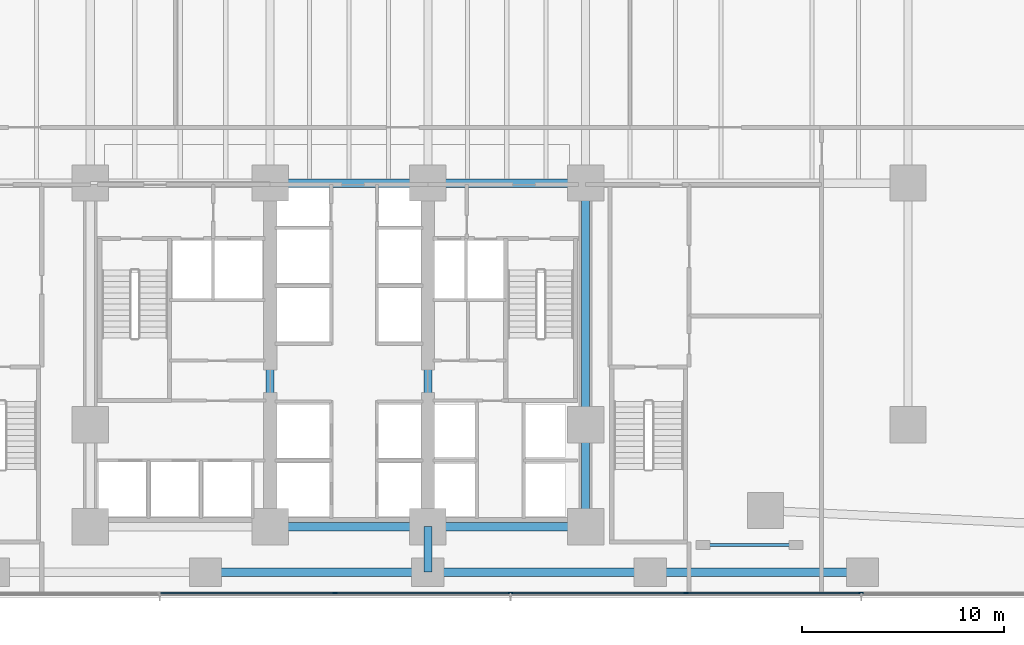
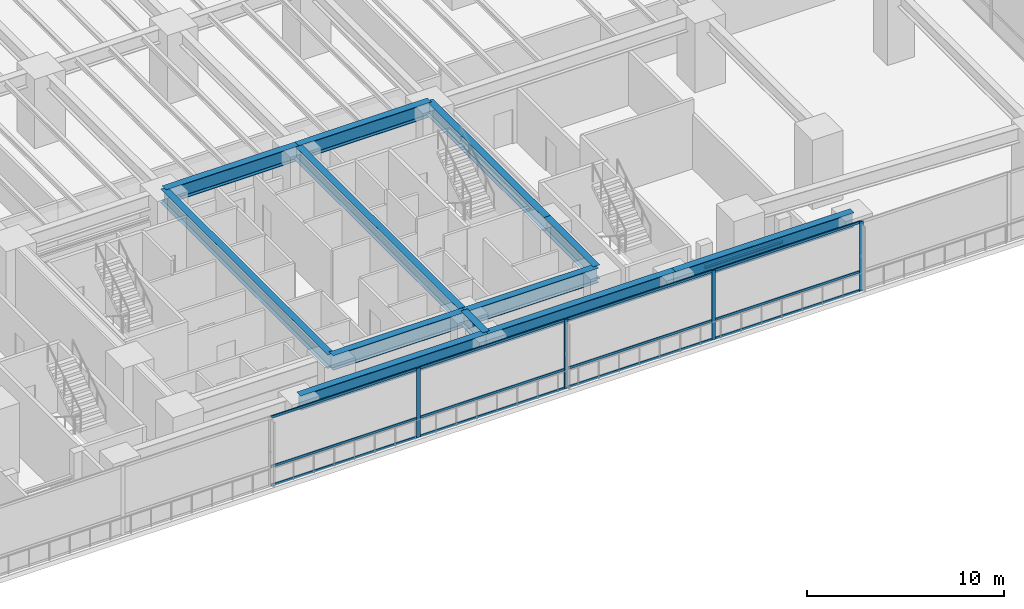
# One storey, part 3 of 27: 16 members, 13 beams, 1 element without a shape of its own.
"""IFC4 building model written with IfcOpenShell, lengths in metres."""

import ifcopenshell
import ifcopenshell.guid

model = None  # the IFC model being written
_history = None  # IfcOwnerHistory: only IFC2X3 demands one
_inside = {}  # id of a spatial element -> (the spatial element, [elements in it])
_under = {}  # id of a project, library or spatial element -> (it, [spatial elements below it])
_declared = {}  # id of a project -> (the project, [libraries it declares])
_typed = {}  # id of a type object -> (the type object, [elements of that type])
_made_of = {}  # id of a material, layer set ... -> (it, [elements and type objects made of it])


def new_model(schema):
    """Start an empty IFC model of exactly this schema.

    Asked for "IFC4X3", IfcOpenShell would pick the latest addendum, in which some entities
    have other attributes; the version numbers below select the first issue.
    IFC2X3 requires an IfcOwnerHistory on every rooted entity: one is made here for all.
    """
    global model, _history
    if schema == "IFC4X3":
        model = ifcopenshell.file(schema_version=(4, 3, 0, 0))
    else:
        model = ifcopenshell.file(schema=schema)
    _inside.clear()
    _under.clear()
    _declared.clear()
    _typed.clear()
    _made_of.clear()
    _history = None
    if model.schema == "IFC2X3":
        org = make("IfcOrganization", Name="unknown")
        user = make(
            "IfcPersonAndOrganization",
            ThePerson=make("IfcPerson", FamilyName="unknown"),
            TheOrganization=org,
        )
        app = make(
            "IfcApplication",
            ApplicationDeveloper=org,
            Version="unknown",
            ApplicationFullName="unknown",
            ApplicationIdentifier="unknown",
        )
        _history = make(
            "IfcOwnerHistory",
            OwningUser=user,
            OwningApplication=app,
            ChangeAction="ADDED",
            CreationDate=0,
        )
    return model


def make(cls, **values):
    """One entity of the class cls with the attributes given. An attribute that is None is left unset."""
    return model.create_entity(
        cls, **{name: value for name, value in values.items() if value is not None}
    )


def rooted(cls, **values):
    """An entity with a GlobalId (a new one), such as an element, a storey or a relation."""
    return make(cls, GlobalId=ifcopenshell.guid.new(), OwnerHistory=_history, **values)


def si_unit(unit_type, name, prefix=None):
    """IfcSIUnit, for example si_unit("LENGTHUNIT", "METRE", prefix="MILLI")."""
    return make("IfcSIUnit", UnitType=unit_type, Prefix=prefix, Name=name)


def assignment(units):
    """IfcUnitAssignment: the units of a project."""
    return None if units is None else make("IfcUnitAssignment", Units=units)


def point(xyz):
    """IfcCartesianPoint."""
    return None if xyz is None else make("IfcCartesianPoint", Coordinates=xyz)


def direction(xyz):
    """IfcDirection."""
    return None if xyz is None else make("IfcDirection", DirectionRatios=xyz)


def frame(location, z_axis=None, x_axis=None):
    """IfcAxis2Placement3D, a coordinate frame: its origin and axes. An axis left out is left unset."""
    return make(
        "IfcAxis2Placement3D",
        Location=point(location),
        Axis=direction(z_axis),
        RefDirection=direction(x_axis),
    )


def frame_2d(location, x_axis=None):
    """IfcAxis2Placement2D, a coordinate frame in the plane: its origin and x axis."""
    return make(
        "IfcAxis2Placement2D", Location=point(location), RefDirection=direction(x_axis)
    )


def origin():
    """The frame at (0, 0, 0) with its axes left unset."""
    return frame((0.0, 0.0, 0.0))


def origin_2d():
    """The frame at (0, 0) in the plane with its x axis left unset."""
    return frame_2d((0.0, 0.0))


def place(relative_to, where):
    """IfcLocalPlacement: puts the frame where relative to a parent placement (None: the world)."""
    return make(
        "IfcLocalPlacement", PlacementRelTo=relative_to, RelativePlacement=where
    )


def context(
    kind, dimensions, precision=None, world=None, true_north=None, identifier=None
):
    """IfcGeometricRepresentationContext, for example the 3D "Model" context."""
    return make(
        "IfcGeometricRepresentationContext",
        ContextIdentifier=identifier,
        ContextType=kind,
        CoordinateSpaceDimension=dimensions,
        Precision=precision,
        WorldCoordinateSystem=world,
        TrueNorth=true_north,
    )


def subcontext(parent, identifier, kind, view, scale=None):
    """IfcGeometricRepresentationSubContext, for example "Body" below "Model"."""
    return make(
        "IfcGeometricRepresentationSubContext",
        ContextIdentifier=identifier,
        ContextType=kind,
        ParentContext=parent,
        TargetScale=scale,
        TargetView=view,
    )


def project(units=None, contexts=None):
    """IfcProject with its units and contexts."""
    return rooted(
        "IfcProject",
        Name="project",
        RepresentationContexts=contexts,
        UnitsInContext=assignment(units),
    )


def spatial(cls, under=None, at=None, **own):
    """A site, building, storey or space (cls), placed at a placement, below another one or the project."""
    s = rooted(cls, ObjectPlacement=at, **own)
    if under is not None:
        _under.setdefault(under.id(), (under, []))[1].append(s)
    return s


def profile(cls, at=None, kind="AREA", **sizes):
    """A parametric profile (cls). Its sizes go by their IFC names, for example OverallWidth=200.0."""
    return make(cls, ProfileType=kind, Position=at, **sizes)


def rectangle(**sizes):
    """IfcRectangleProfileDef."""
    return profile("IfcRectangleProfileDef", **sizes)


def i_section(**sizes):
    """IfcIShapeProfileDef."""
    return profile("IfcIShapeProfileDef", **sizes)


def extrude(swept, where, along, depth):
    """IfcExtrudedAreaSolid: the profile swept, set in the frame where, extruded along a direction by depth."""
    return make(
        "IfcExtrudedAreaSolid",
        SweptArea=swept,
        Position=where,
        ExtrudedDirection=direction(along),
        Depth=depth,
    )


def shape(context_of_items, identifier, shape_type, items):
    """IfcShapeRepresentation: the items that make up one representation, for example the "Body"."""
    return make(
        "IfcShapeRepresentation",
        ContextOfItems=context_of_items,
        RepresentationIdentifier=identifier,
        RepresentationType=shape_type,
        Items=items,
    )


def material(Name=None, Category=None):
    """IfcMaterial."""
    return make("IfcMaterial", Name=Name, Category=Category)


def layer(
    of_material, thickness, ventilated=None, Name=None, Category=None, Priority=None
):
    """IfcMaterialLayer: one layer of a wall or slab, of a material (None: an air gap)."""
    return make(
        "IfcMaterialLayer",
        Material=of_material,
        LayerThickness=thickness,
        IsVentilated=ventilated,
        Name=Name,
        Category=Category,
        Priority=Priority,
    )


def layer_set(layers, Name=None):
    """IfcMaterialLayerSet."""
    return make("IfcMaterialLayerSet", MaterialLayers=layers, LayerSetName=Name)


def material_profile(
    of_material, cross_section, Name=None, Category=None, Priority=None
):
    """IfcMaterialProfile: a cross section and its material."""
    return make(
        "IfcMaterialProfile",
        Name=Name,
        Material=of_material,
        Profile=cross_section,
        Priority=Priority,
        Category=Category,
    )


def profile_set(profiles, Name=None, composite=None):
    """IfcMaterialProfileSet."""
    return make(
        "IfcMaterialProfileSet",
        Name=Name,
        MaterialProfiles=profiles,
        CompositeProfile=composite,
    )


def made_of(thing, what):
    """Note that an element or type object is made of a material, layer set ...; save() writes the relation."""
    if what is not None:
        _made_of.setdefault(what.id(), (what, []))[1].append(thing)
    return thing


def type_object(cls, material=None, **own):
    """A type object (cls), such as IfcWallType, which elements share."""
    return made_of(rooted(cls, **own), material)


def element(
    cls,
    number,
    at=None,
    inside=None,
    cuts=None,
    type_object=None,
    material=None,
    context=None,
    identifier="Body",
    shape_type=None,
    held_by="IfcProductDefinitionShape",
    body=None,
    shapes=None,
    **own,
):
    """One element of the class cls, such as IfcWall. Its Tag is "e" and its number.

    at: its placement. inside: the storey or other place that contains it. cuts: it is an
    opening in that element (IfcRelVoidsElement). A single representation is given by context,
    identifier, shape_type and body (its items); several are given by shapes. held_by: the class
    of the entity that holds the representations. save() writes the other relations.
    """
    e = rooted(cls, Tag="e%d" % number, ObjectPlacement=at, **own)
    if body is not None:
        shapes = [shape(context, identifier, shape_type, body)]
    if shapes is not None:
        e.Representation = make(held_by, Representations=shapes)
    if inside is not None:
        _inside.setdefault(inside.id(), (inside, []))[1].append(e)
    if cuts is not None:
        rooted(
            "IfcRelVoidsElement", RelatingBuildingElement=cuts, RelatedOpeningElement=e
        )
    if type_object is not None:
        _typed.setdefault(type_object.id(), (type_object, []))[1].append(e)
    return made_of(e, material)


def aggregate(whole, parts):
    """IfcRelAggregates: a whole, such as a stair, and the parts it consists of."""
    return rooted("IfcRelAggregates", RelatingObject=whole, RelatedObjects=parts)


def save(model, path):
    """Write the relations noted so far, then the file.

    IfcRelAggregates (storeys below a building ...), IfcRelContainedInSpatialStructure (elements
    in a storey), IfcRelDefinesByType, IfcRelAssociatesMaterial and IfcRelDeclares: one each for
    every whole, place, type object, material and project.
    """
    for whole, parts in _under.values():
        aggregate(whole, parts)
    for where, things in _inside.values():
        rooted(
            "IfcRelContainedInSpatialStructure",
            RelatedElements=things,
            RelatingStructure=where,
        )
    for kind, things in _typed.values():
        rooted("IfcRelDefinesByType", RelatedObjects=things, RelatingType=kind)
    for what, things in _made_of.values():
        rooted("IfcRelAssociatesMaterial", RelatedObjects=things, RelatingMaterial=what)
    for by, libraries in _declared.values():
        rooted("IfcRelDeclares", RelatingContext=by, RelatedDefinitions=libraries)
    model.write(path)


model = new_model("IFC4")

# Units and contexts
model_context = context("Model", 3, precision=1e-05, world=origin(), true_north=direction((0.0, 1.0)))
body_context = subcontext(model_context, "Body", "Model", "MODEL_VIEW")
ifc_project = project(units=[si_unit("LENGTHUNIT", "METRE"), si_unit("AREAUNIT", "SQUARE_METRE"), si_unit("VOLUMEUNIT", "CUBIC_METRE"), si_unit("PLANEANGLEUNIT", "RADIAN"), si_unit("MASSUNIT", "GRAM", prefix="KILO")], contexts=[model_context])

# Site, building, storey
site_placement = place(None, origin())
site = spatial("IfcSite", under=ifc_project, at=site_placement, CompositionType="ELEMENT")
building_placement = place(site_placement, origin())
building = spatial("IfcBuilding", under=site, at=building_placement, Name="Qalmaran Belvedere Hotel", CompositionType="ELEMENT")
storey_placement = place(building_placement, frame((0.0, 0.0, 5.39990234375)))
storey = spatial("IfcBuildingStorey", under=building, at=storey_placement, Name="L01", CompositionType="ELEMENT", Elevation=5.39990234375)

# Beams
ifc_material_1 = material(Name="Steel S355JR", Category="steel")
ifc_material_profile_1 = material_profile(ifc_material_1, i_section(OverallWidth=0.1650390625, OverallDepth=0.200927734375, WebThickness=0.006103515625, FlangeThickness=0.01025390625, FilletRadius=0.010009765625, at=origin_2d()), Name="W200X36")
ifc_profile_set_1 = profile_set([ifc_material_profile_1], Name="Steel S355JR")
beam_type_1 = type_object("IfcBeamType", Name="BM-LIN-W200X36", PredefinedType="LINTEL", material=ifc_profile_set_1)
beam_1_placement = place(storey_placement, frame((50.60009765625, 2.60009765625, 2.75), z_axis=(1.0, 0.0, 0.0), x_axis=(0.0, 1.0, 0.0)))
element("IfcBeam", 1, at=beam_1_placement, inside=storey, type_object=beam_type_1, Name="L01 Colonnade Opening Lintel 05", PredefinedType="LINTEL", context=body_context, shape_type="SweptSolid", body=[
    extrude(i_section(OverallWidth=0.1650390625, OverallDepth=0.200927734375, WebThickness=0.006103515625, FlangeThickness=0.01025390625, FilletRadius=0.010009765625, at=origin_2d()), origin(), (0.0, 0.0, 1.0), 4.599853515625),
])
ifc_material_profile_2 = material_profile(ifc_material_1, i_section(OverallWidth=0.41796875, OverallDepth=0.912109375, WebThickness=0.019287109375, FlangeThickness=0.031982421875, FilletRadius=0.02392578125, at=origin_2d()), Name="W920X342")
ifc_profile_set_2 = profile_set([ifc_material_profile_2], Name="Steel S355JR")
beam_type_2 = type_object("IfcBeamType", Name="BM-PG2-W920X342", PredefinedType="USERDEFINED", material=ifc_profile_set_2)
for number, where, z_axis, x_axis, name in (
    (2, (26.0, 1.25, 3.843994140625), (1.0, 0.0, 0.0), (0.0, 1.0, 0.0), "L01 Podium Primary Girder GX02"),
    (3, (37.0, 1.25, 3.843994140625), (1.0, 0.0, 0.0), (0.0, 1.0, 0.0), "L01 Podium Primary Girder GX03"),
):
    element("IfcBeam", number, at=place(storey_placement, frame(where, z_axis=z_axis, x_axis=x_axis)), inside=storey, type_object=beam_type_2, Name=name, ObjectType="GIRDER", PredefinedType="USERDEFINED", context=body_context, shape_type="SweptSolid", body=[
        extrude(i_section(OverallWidth=0.41796875, OverallDepth=0.912109375, WebThickness=0.019287109375, FlangeThickness=0.031982421875, FilletRadius=0.02392578125, at=origin_2d()), origin(), (0.0, 0.0, 1.0), 11.0),
    ])
beam_2_placement = place(storey_placement, frame((48.0, 1.25, 3.843994140625), z_axis=(1.0, 0.0, 0.0), x_axis=(0.0, 1.0, 0.0)))
element("IfcBeam", 4, at=beam_2_placement, inside=storey, type_object=beam_type_2, Name="L01 Podium Primary Girder GX04", ObjectType="GIRDER", PredefinedType="USERDEFINED", context=body_context, shape_type="SweptSolid", body=[
    extrude(i_section(OverallWidth=0.41796875, OverallDepth=0.912109375, WebThickness=0.019287109375, FlangeThickness=0.031982421875, FilletRadius=0.02392578125, at=origin_2d()), origin(), (0.0, 0.0, 1.0), 10.5),
])
for number, where, z_axis, x_axis, name in (
    (5, (29.199951171875, 3.5, 3.843994140625), (1.0, 0.0, 0.0), (0.0, 1.0, 0.0), "L01 Podium Primary Girder GX07"),
    (6, (37.0, 3.5, 3.843994140625), (1.0, 0.0, 0.0), (0.0, 1.0, 0.0), "L01 Podium Primary Girder GX08"),
    (7, (29.199951171875, 20.5, 3.843994140625), (1.0, 0.0, 0.0), (0.0, 1.0, 0.0), "L01 Podium Primary Girder GX15"),
    (8, (37.0, 20.5, 3.843994140625), (1.0, 0.0, 0.0), (0.0, 1.0, 0.0), "L01 Podium Primary Girder GX16"),
):
    element("IfcBeam", number, at=place(storey_placement, frame(where, z_axis=z_axis, x_axis=x_axis)), inside=storey, type_object=beam_type_2, Name=name, ObjectType="GIRDER", PredefinedType="USERDEFINED", context=body_context, shape_type="SweptSolid", body=[
        extrude(i_section(OverallWidth=0.41796875, OverallDepth=0.912109375, WebThickness=0.019287109375, FlangeThickness=0.031982421875, FilletRadius=0.02392578125, at=origin_2d()), origin(), (0.0, 0.0, 1.0), 7.800048828125),
    ])
ifc_material_profile_3 = material_profile(ifc_material_1, i_section(OverallWidth=0.39990234375, OverallDepth=0.85498046875, WebThickness=0.018310546875, FlangeThickness=0.029296875, FilletRadius=0.02392578125, at=origin_2d()), Name="W840X299")
ifc_profile_set_3 = profile_set([ifc_material_profile_3], Name="Steel S355JR")
beam_type_3 = type_object("IfcBeamType", Name="BM-PG3-W840X299", PredefinedType="USERDEFINED", material=ifc_profile_set_3)
beam_3_placement = place(storey_placement, frame((29.199951171875, 3.5, 3.87255859375), z_axis=(0.0, 1.0, 0.0), x_axis=(-1.0, 0.0, 0.0)))
element("IfcBeam", 9, at=beam_3_placement, inside=storey, type_object=beam_type_3, Name="L01 Podium Transverse Girder GY41", ObjectType="GIRDER", PredefinedType="USERDEFINED", context=body_context, shape_type="SweptSolid", body=[
    extrude(i_section(OverallWidth=0.39990234375, OverallDepth=0.85498046875, WebThickness=0.018310546875, FlangeThickness=0.029296875, FilletRadius=0.02392578125, at=origin_2d()), origin(), (0.0, 0.0, 1.0), 17.0),
])
beam_4_placement = place(storey_placement, frame((37.0, 1.25, 3.87255859375), z_axis=(0.0, 1.0, 0.0), x_axis=(-1.0, 0.0, 0.0)))
element("IfcBeam", 10, at=beam_4_placement, inside=storey, type_object=beam_type_3, Name="L01 Podium Transverse Girder GY44", ObjectType="GIRDER", PredefinedType="USERDEFINED", context=body_context, shape_type="SweptSolid", body=[
    extrude(i_section(OverallWidth=0.39990234375, OverallDepth=0.85498046875, WebThickness=0.018310546875, FlangeThickness=0.029296875, FilletRadius=0.02392578125, at=origin_2d()), origin(), (0.0, 0.0, 1.0), 2.25),
])
beam_5_placement = place(storey_placement, frame((37.0, 3.5, 3.87255859375), z_axis=(0.0, 1.0, 0.0), x_axis=(-1.0, 0.0, 0.0)))
element("IfcBeam", 11, at=beam_5_placement, inside=storey, type_object=beam_type_3, Name="L01 Podium Transverse Girder GY45", ObjectType="GIRDER", PredefinedType="USERDEFINED", context=body_context, shape_type="SweptSolid", body=[
    extrude(i_section(OverallWidth=0.39990234375, OverallDepth=0.85498046875, WebThickness=0.018310546875, FlangeThickness=0.029296875, FilletRadius=0.02392578125, at=origin_2d()), origin(), (0.0, 0.0, 1.0), 17.0),
])
beam_6_placement = place(storey_placement, frame((44.800048828125, 3.5, 3.87255859375), z_axis=(0.0, 1.0, 0.0), x_axis=(-1.0, 0.0, 0.0)))
element("IfcBeam", 12, at=beam_6_placement, inside=storey, type_object=beam_type_3, Name="L01 Podium Transverse Girder GY48", ObjectType="GIRDER", PredefinedType="USERDEFINED", context=body_context, shape_type="SweptSolid", body=[
    extrude(i_section(OverallWidth=0.39990234375, OverallDepth=0.85498046875, WebThickness=0.018310546875, FlangeThickness=0.029296875, FilletRadius=0.02392578125, at=origin_2d()), origin(), (0.0, 0.0, 1.0), 5.050048828125),
])
beam_7_placement = place(storey_placement, frame((44.800048828125, 8.550048828125, 3.87255859375), z_axis=(0.0, 1.0, 0.0), x_axis=(-1.0, 0.0, 0.0)))
element("IfcBeam", 13, at=beam_7_placement, inside=storey, type_object=beam_type_3, Name="L01 Podium Transverse Girder GY49", ObjectType="GIRDER", PredefinedType="USERDEFINED", context=body_context, shape_type="SweptSolid", body=[
    extrude(i_section(OverallWidth=0.39990234375, OverallDepth=0.85498046875, WebThickness=0.018310546875, FlangeThickness=0.029296875, FilletRadius=0.02392578125, at=origin_2d()), origin(), (0.0, 0.0, 1.0), 11.949951171875),
])

# Curtain wall, members
ifc_material_2 = material(Name="Anodised Bronze Aluminium", Category="aluminium")
ifc_layer = layer(ifc_material_2, 0.219970703125, Name="Anodised Bronze Aluminium")
ifc_layer_set = layer_set([ifc_layer], Name="Anodised Bronze Aluminium")
curtain_wall_type = type_object("IfcCurtainWallType", Name="CW1-PODIUM-BRONZE", PredefinedType="NOTDEFINED", material=ifc_layer_set)
curtain_wall_placement = place(storey_placement, origin())
curtain_wall = element("IfcCurtainWall", 14, at=curtain_wall_placement, inside=storey, type_object=curtain_wall_type, Name="L01 Curtain Wall CW1", PredefinedType="NOTDEFINED")
ifc_material_profile_4 = material_profile(ifc_material_2, rectangle(XDim=0.074951171875, YDim=0.219970703125, at=origin_2d()), Name="CWM75X220")
ifc_profile_set_4 = profile_set([ifc_material_profile_4], Name="Anodised Bronze Aluminium")
member_type_1 = type_object("IfcMemberType", Name="CWM-75X220", PredefinedType="MULLION", material=ifc_profile_set_4)
member_1_placement = place(storey_placement, frame((32.413330078125, 0.219970703125, 0.0), z_axis=(0.0, 0.0, 1.0), x_axis=(0.0, 1.0, 0.0)))
member_1 = element("IfcMember", 15, at=member_1_placement, type_object=member_type_1, Name="CW1 mullion 5", PredefinedType="MULLION", context=body_context, shape_type="SweptSolid", body=[
    extrude(rectangle(XDim=0.074951171875, YDim=0.219970703125, at=origin_2d()), origin(), (0.0, 0.0, 1.0), 4.300048828125),
])
member_2_placement = place(storey_placement, frame((41.086669921875, 0.219970703125, 0.0), z_axis=(0.0, 0.0, 1.0), x_axis=(0.0, 1.0, 0.0)))
member_2 = element("IfcMember", 16, at=member_2_placement, type_object=member_type_1, Name="CW1 mullion 6", PredefinedType="MULLION", context=body_context, shape_type="SweptSolid", body=[
    extrude(rectangle(XDim=0.074951171875, YDim=0.219970703125, at=origin_2d()), origin(), (0.0, 0.0, 1.0), 4.300048828125),
])
member_3_placement = place(storey_placement, frame((49.760009765625, 0.219970703125, 0.0), z_axis=(0.0, 0.0, 1.0), x_axis=(0.0, 1.0, 0.0)))
member_3 = element("IfcMember", 17, at=member_3_placement, type_object=member_type_1, Name="CW1 mullion 7", PredefinedType="MULLION", context=body_context, shape_type="SweptSolid", body=[
    extrude(rectangle(XDim=0.074951171875, YDim=0.219970703125, at=origin_2d()), origin(), (0.0, 0.0, 1.0), 4.300048828125),
])
member_4_placement = place(storey_placement, frame((58.433349609375, 0.219970703125, 0.0), z_axis=(0.0, 0.0, 1.0), x_axis=(0.0, 1.0, 0.0)))
member_4 = element("IfcMember", 18, at=member_4_placement, type_object=member_type_1, Name="CW1 mullion 8", PredefinedType="MULLION", context=body_context, shape_type="SweptSolid", body=[
    extrude(rectangle(XDim=0.074951171875, YDim=0.219970703125, at=origin_2d()), origin(), (0.0, 0.0, 1.0), 4.300048828125),
])
ifc_material_profile_5 = material_profile(ifc_material_2, rectangle(XDim=0.070068359375, YDim=0.14990234375, at=origin_2d()), Name="CWT70X150")
ifc_profile_set_5 = profile_set([ifc_material_profile_5], Name="Anodised Bronze Aluminium")
member_type_2 = type_object("IfcMemberType", Name="CWT-70X150", PredefinedType="USERDEFINED", material=ifc_profile_set_5)
member_5_placement = place(storey_placement, frame((23.777587890625, 0.219970703125, 0.03515625), z_axis=(1.0, 0.0, 0.0), x_axis=(0.0, 1.0, 0.0)))
member_5 = element("IfcMember", 19, at=member_5_placement, type_object=member_type_2, Name="CW1 transom 4.1", ObjectType="TRANSOM", PredefinedType="USERDEFINED", context=body_context, shape_type="SweptSolid", body=[
    extrude(rectangle(XDim=0.070068359375, YDim=0.14990234375, at=origin_2d()), origin(), (0.0, 0.0, 1.0), 8.59814453125),
])
member_6_placement = place(storey_placement, frame((23.777587890625, 0.219970703125, 1.2041015625), z_axis=(1.0, 0.0, 0.0), x_axis=(0.0, 1.0, 0.0)))
member_6 = element("IfcMember", 20, at=member_6_placement, type_object=member_type_2, Name="CW1 transom 4.2", ObjectType="TRANSOM", PredefinedType="USERDEFINED", context=body_context, shape_type="SweptSolid", body=[
    extrude(rectangle(XDim=0.070068359375, YDim=0.14990234375, at=origin_2d()), origin(), (0.0, 0.0, 1.0), 8.59814453125),
])
member_7_placement = place(storey_placement, frame((23.777587890625, 0.219970703125, 4.26513671875), z_axis=(1.0, 0.0, 0.0), x_axis=(0.0, 1.0, 0.0)))
member_7 = element("IfcMember", 21, at=member_7_placement, type_object=member_type_2, Name="CW1 transom 4.3", ObjectType="TRANSOM", PredefinedType="USERDEFINED", context=body_context, shape_type="SweptSolid", body=[
    extrude(rectangle(XDim=0.070068359375, YDim=0.14990234375, at=origin_2d()), origin(), (0.0, 0.0, 1.0), 8.59814453125),
])
member_8_placement = place(storey_placement, frame((32.450927734375, 0.219970703125, 0.03515625), z_axis=(1.0, 0.0, 0.0), x_axis=(0.0, 1.0, 0.0)))
member_8 = element("IfcMember", 22, at=member_8_placement, type_object=member_type_2, Name="CW1 transom 5.1", ObjectType="TRANSOM", PredefinedType="USERDEFINED", context=body_context, shape_type="SweptSolid", body=[
    extrude(rectangle(XDim=0.070068359375, YDim=0.14990234375, at=origin_2d()), origin(), (0.0, 0.0, 1.0), 8.59814453125),
])
member_9_placement = place(storey_placement, frame((32.450927734375, 0.219970703125, 1.2041015625), z_axis=(1.0, 0.0, 0.0), x_axis=(0.0, 1.0, 0.0)))
member_9 = element("IfcMember", 23, at=member_9_placement, type_object=member_type_2, Name="CW1 transom 5.2", ObjectType="TRANSOM", PredefinedType="USERDEFINED", context=body_context, shape_type="SweptSolid", body=[
    extrude(rectangle(XDim=0.070068359375, YDim=0.14990234375, at=origin_2d()), origin(), (0.0, 0.0, 1.0), 8.59814453125),
])
member_10_placement = place(storey_placement, frame((32.450927734375, 0.219970703125, 4.26513671875), z_axis=(1.0, 0.0, 0.0), x_axis=(0.0, 1.0, 0.0)))
member_10 = element("IfcMember", 24, at=member_10_placement, type_object=member_type_2, Name="CW1 transom 5.3", ObjectType="TRANSOM", PredefinedType="USERDEFINED", context=body_context, shape_type="SweptSolid", body=[
    extrude(rectangle(XDim=0.070068359375, YDim=0.14990234375, at=origin_2d()), origin(), (0.0, 0.0, 1.0), 8.59814453125),
])
member_11_placement = place(storey_placement, frame((41.124267578125, 0.219970703125, 0.03515625), z_axis=(1.0, 0.0, 0.0), x_axis=(0.0, 1.0, 0.0)))
member_11 = element("IfcMember", 25, at=member_11_placement, type_object=member_type_2, Name="CW1 transom 6.1", ObjectType="TRANSOM", PredefinedType="USERDEFINED", context=body_context, shape_type="SweptSolid", body=[
    extrude(rectangle(XDim=0.070068359375, YDim=0.14990234375, at=origin_2d()), origin(), (0.0, 0.0, 1.0), 8.59814453125),
])
member_12_placement = place(storey_placement, frame((41.124267578125, 0.219970703125, 1.2041015625), z_axis=(1.0, 0.0, 0.0), x_axis=(0.0, 1.0, 0.0)))
member_12 = element("IfcMember", 26, at=member_12_placement, type_object=member_type_2, Name="CW1 transom 6.2", ObjectType="TRANSOM", PredefinedType="USERDEFINED", context=body_context, shape_type="SweptSolid", body=[
    extrude(rectangle(XDim=0.070068359375, YDim=0.14990234375, at=origin_2d()), origin(), (0.0, 0.0, 1.0), 8.59814453125),
])
member_13_placement = place(storey_placement, frame((41.124267578125, 0.219970703125, 4.26513671875), z_axis=(1.0, 0.0, 0.0), x_axis=(0.0, 1.0, 0.0)))
member_13 = element("IfcMember", 27, at=member_13_placement, type_object=member_type_2, Name="CW1 transom 6.3", ObjectType="TRANSOM", PredefinedType="USERDEFINED", context=body_context, shape_type="SweptSolid", body=[
    extrude(rectangle(XDim=0.070068359375, YDim=0.14990234375, at=origin_2d()), origin(), (0.0, 0.0, 1.0), 8.59814453125),
])
member_14_placement = place(storey_placement, frame((49.797607421875, 0.219970703125, 0.03515625), z_axis=(1.0, 0.0, 0.0), x_axis=(0.0, 1.0, 0.0)))
member_14 = element("IfcMember", 28, at=member_14_placement, type_object=member_type_2, Name="CW1 transom 7.1", ObjectType="TRANSOM", PredefinedType="USERDEFINED", context=body_context, shape_type="SweptSolid", body=[
    extrude(rectangle(XDim=0.070068359375, YDim=0.14990234375, at=origin_2d()), origin(), (0.0, 0.0, 1.0), 8.59814453125),
])
member_15_placement = place(storey_placement, frame((49.797607421875, 0.219970703125, 1.2041015625), z_axis=(1.0, 0.0, 0.0), x_axis=(0.0, 1.0, 0.0)))
member_15 = element("IfcMember", 29, at=member_15_placement, type_object=member_type_2, Name="CW1 transom 7.2", ObjectType="TRANSOM", PredefinedType="USERDEFINED", context=body_context, shape_type="SweptSolid", body=[
    extrude(rectangle(XDim=0.070068359375, YDim=0.14990234375, at=origin_2d()), origin(), (0.0, 0.0, 1.0), 8.59814453125),
])
member_16_placement = place(storey_placement, frame((49.797607421875, 0.219970703125, 4.26513671875), z_axis=(1.0, 0.0, 0.0), x_axis=(0.0, 1.0, 0.0)))
member_16 = element("IfcMember", 30, at=member_16_placement, type_object=member_type_2, Name="CW1 transom 7.3", ObjectType="TRANSOM", PredefinedType="USERDEFINED", context=body_context, shape_type="SweptSolid", body=[
    extrude(rectangle(XDim=0.070068359375, YDim=0.14990234375, at=origin_2d()), origin(), (0.0, 0.0, 1.0), 8.59814453125),
])
aggregate(curtain_wall, [member_1, member_2, member_3, member_4, member_5, member_6, member_7, member_8, member_9, member_10, member_11, member_12, member_13, member_14, member_15, member_16])

save(model, "model.ifc")
